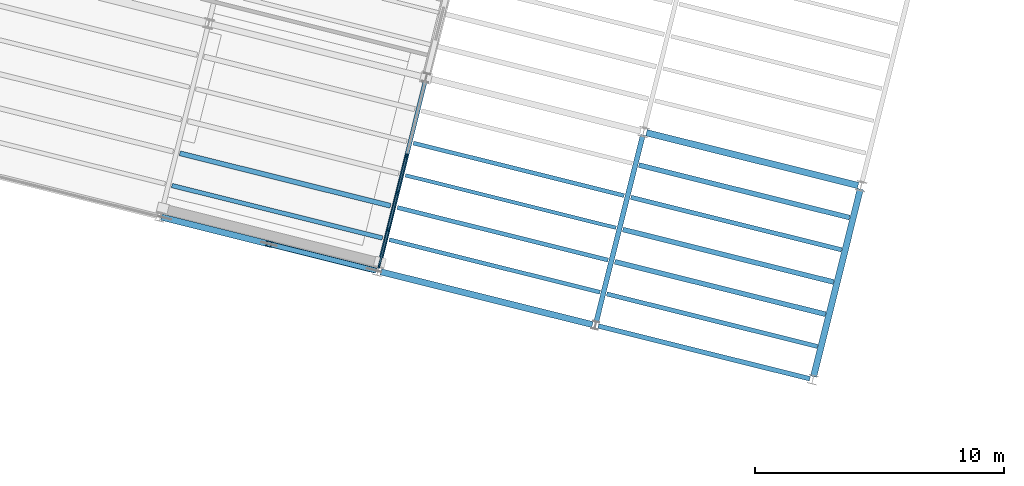
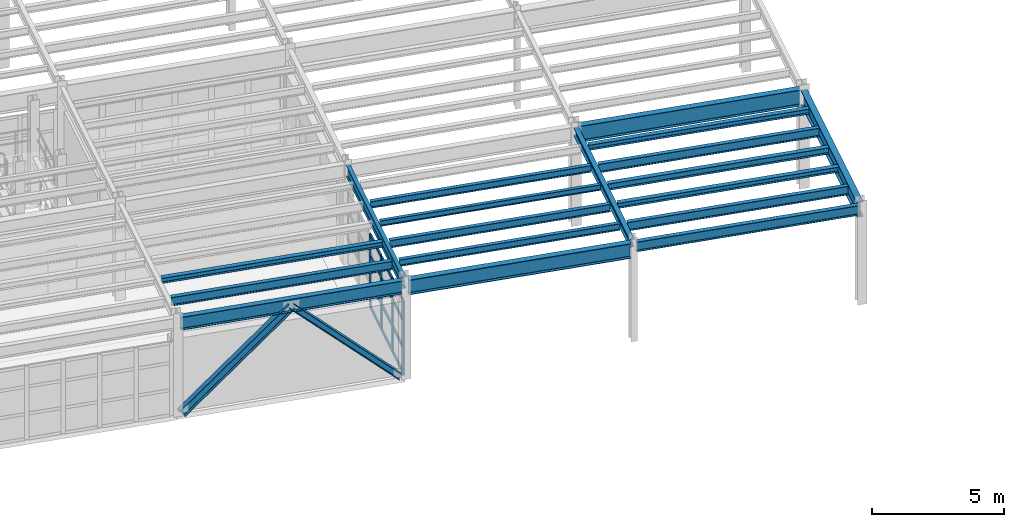
# One storey, part 32 of 109: 18 beams, 18 members, 1 element without a shape of its own.
"""IFC4 building model written with IfcOpenShell, lengths in metres."""

from ifc_helpers import new_model, si_unit, direction, frame, origin, origin_2d, place, context, subcontext, project, spatial, rectangle, i_section, extrude, material, layer, layer_set, material_profile, profile_set, type_object, element, aggregate, save


model = new_model("IFC4")

# Units and contexts
model_context = context("Model", 3, precision=1e-05, world=origin(), true_north=direction((0.0, 1.0)))
body_context = subcontext(model_context, "Body", "Model", "MODEL_VIEW")
ifc_project = project(units=[si_unit("LENGTHUNIT", "METRE"), si_unit("AREAUNIT", "SQUARE_METRE"), si_unit("VOLUMEUNIT", "CUBIC_METRE"), si_unit("PLANEANGLEUNIT", "RADIAN"), si_unit("MASSUNIT", "GRAM", prefix="KILO")], contexts=[model_context])

# Site, building, storey
site_placement = place(None, origin())
site = spatial("IfcSite", under=ifc_project, at=site_placement, CompositionType="ELEMENT")
building_placement = place(site_placement, origin())
building = spatial("IfcBuilding", under=site, at=building_placement, Name="Vireo Bluff Cable Station", CompositionType="ELEMENT")
storey_placement = place(building_placement, frame((0.0, 0.0, 4.800048828125)))
storey = spatial("IfcBuildingStorey", under=building, at=storey_placement, Name="L01", CompositionType="ELEMENT", Elevation=4.800048828125)

# Beams
ifc_material_1 = material(Name="Steel ASTM A992 Gr. 50", Category="steel")
ifc_material_profile_1 = material_profile(ifc_material_1, i_section(OverallWidth=0.2041015625, OverallDepth=0.35009765625, WebThickness=0.008544921875, FlangeThickness=0.01513671875, FilletRadius=0.010009765625, at=origin_2d()), Name="W14X48")
ifc_profile_set_1 = profile_set([ifc_material_profile_1], Name="Steel ASTM A992 Gr. 50")
beam_type_1 = type_object("IfcBeamType", Name="BM-W14X48", PredefinedType="BEAM", material=ifc_profile_set_1)
beam_1_placement = place(storey_placement, frame((88.959716796875, 29.4072265625, 4.364990234375), z_axis=(0.241906346953, 0.970299602857, 0.0), x_axis=(-0.970299602857, 0.241906346953, 0.0)))
element("IfcBeam", 1, at=beam_1_placement, inside=storey, type_object=beam_type_1, Name="V1 L01 beam 72", PredefinedType="BEAM", context=body_context, shape_type="SweptSolid", body=[
    extrude(i_section(OverallWidth=0.2041015625, OverallDepth=0.35009765625, WebThickness=0.008544921875, FlangeThickness=0.01513671875, FilletRadius=0.010009765625, at=origin_2d()), origin(), (0.0, 0.0, 1.0), 7.760009765625),
])
ifc_material_profile_2 = material_profile(ifc_material_1, i_section(OverallWidth=0.166015625, OverallDepth=0.528076171875, WebThickness=0.009765625, FlangeThickness=0.013671875, FilletRadius=0.012939453125, at=origin_2d()), Name="W21X50")
ifc_profile_set_2 = profile_set([ifc_material_profile_2], Name="Steel ASTM A992 Gr. 50")
beam_type_2 = type_object("IfcBeamType", Name="BM-W21X50", PredefinedType="BEAM", material=ifc_profile_set_2)
beam_2_placement = place(storey_placement, frame((80.22705078125, 31.58447265625, 4.27587890625), z_axis=(0.241906346953, 0.970299602857, 0.0), x_axis=(-0.970299602857, 0.241906346953, 0.0)))
element("IfcBeam", 2, at=beam_2_placement, inside=storey, type_object=beam_type_2, Name="V1 L01 beam 69", PredefinedType="BEAM", context=body_context, shape_type="SweptSolid", body=[
    extrude(i_section(OverallWidth=0.166015625, OverallDepth=0.528076171875, WebThickness=0.009765625, FlangeThickness=0.013671875, FilletRadius=0.012939453125, at=origin_2d()), origin(), (0.0, 0.0, 1.0), 7.760009765625),
])

# Members
ifc_material_profile_3 = material_profile(ifc_material_1, i_section(OverallWidth=0.2041015625, OverallDepth=0.257080078125, WebThickness=0.0087890625, FlangeThickness=0.015625, FilletRadius=0.009033203125, at=origin_2d()), Name="W10X45")
ifc_profile_set_3 = profile_set([ifc_material_profile_3], Name="Steel ASTM A992 Gr. 50")
member_type_1 = type_object("IfcMemberType", Name="BRC-01", PredefinedType="BRACE", material=ifc_profile_set_3)
member_1_placement = place(storey_placement, frame((80.042724609375, 31.5068359375, 0.0400390625), z_axis=(-0.702108887955, 0.175028594017, 0.690223225291), x_axis=(-0.241887009228, -0.970304423759, 0.0)))
element("IfcMember", 3, at=member_1_placement, inside=storey, type_object=member_type_1, Name="V1 L01 concentric brace 6R", PredefinedType="BRACE", context=body_context, shape_type="SweptSolid", body=[
    extrude(i_section(OverallWidth=0.2041015625, OverallDepth=0.257080078125, WebThickness=0.0087890625, FlangeThickness=0.015625, FilletRadius=0.009033203125, at=origin_2d()), origin(), (0.0, 0.0, 1.0), 5.997802734375),
])
ifc_material_profile_4 = material_profile(ifc_material_1, i_section(OverallWidth=0.25390625, OverallDepth=0.35302734375, WebThickness=0.009521484375, FlangeThickness=0.016357421875, FilletRadius=0.011962890625, at=origin_2d()), Name="W14X61")
ifc_profile_set_4 = profile_set([ifc_material_profile_4], Name="Steel ASTM A992 Gr. 50")
member_type_2 = type_object("IfcMemberType", Name="BRC-06", PredefinedType="BRACE", material=ifc_profile_set_4)
member_2_placement = place(storey_placement, frame((71.62060546875, 33.606689453125, 0.0400390625), z_axis=(0.702083245437, -0.175073054187, 0.690238032982), x_axis=(0.241953175614, 0.970287926757, 0.0)))
element("IfcMember", 4, at=member_2_placement, inside=storey, type_object=member_type_2, Name="V1 L01 concentric brace 5L", PredefinedType="BRACE", context=body_context, shape_type="SweptSolid", body=[
    extrude(i_section(OverallWidth=0.25390625, OverallDepth=0.35302734375, WebThickness=0.009521484375, FlangeThickness=0.016357421875, FilletRadius=0.011962890625, at=origin_2d()), origin(), (0.0, 0.0, 1.0), 5.997802734375),
])

# Curtain wall, members
ifc_material_2 = material(Name="Anodized Aluminium 6063-T6", Category="aluminium")
ifc_layer = layer(ifc_material_2, 0.179931640625, Name="Anodized Aluminium 6063-T6")
ifc_layer_set = layer_set([ifc_layer], Name="Anodized Aluminium 6063-T6")
curtain_wall_type = type_object("IfcCurtainWallType", Name="CW-UNIT-1650", PredefinedType="USERDEFINED", material=ifc_layer_set)
curtain_wall_placement = place(storey_placement, origin())
curtain_wall = element("IfcCurtainWall", 5, at=curtain_wall_placement, inside=storey, type_object=curtain_wall_type, Name="V1 L01 east curtain wall CW-008", ObjectType="UNITISED CURTAIN WALL", PredefinedType="USERDEFINED")
ifc_material_profile_5 = material_profile(ifc_material_2, rectangle(XDim=0.06494140625, YDim=0.179931640625, at=origin_2d()), Name="ALU-M-65X180")
ifc_profile_set_5 = profile_set([ifc_material_profile_5], Name="Anodized Aluminium 6063-T6")
member_type_3 = type_object("IfcMemberType", Name="CWM-01", PredefinedType="MULLION", material=ifc_profile_set_5)
member_3_placement = place(storey_placement, frame((81.35009765625, 36.08935546875, 0.0), z_axis=(0.0, 0.0, 1.0), x_axis=(0.970295711882, -0.241921953331, 0.0)))
member_3 = element("IfcMember", 6, at=member_3_placement, type_object=member_type_3, Name="CW-008 mullion 3", PredefinedType="MULLION", context=body_context, shape_type="SweptSolid", body=[
    extrude(rectangle(XDim=0.06494140625, YDim=0.179931640625, at=origin_2d()), origin(), (0.0, 0.0, 1.0), 3.39990234375),
])
member_4_placement = place(storey_placement, frame((80.980712890625, 34.60791015625, 0.0), z_axis=(0.0, 0.0, 1.0), x_axis=(0.970295711882, -0.241921953331, 0.0)))
member_4 = element("IfcMember", 7, at=member_4_placement, type_object=member_type_3, Name="CW-008 mullion 4", PredefinedType="MULLION", context=body_context, shape_type="SweptSolid", body=[
    extrude(rectangle(XDim=0.06494140625, YDim=0.179931640625, at=origin_2d()), origin(), (0.0, 0.0, 1.0), 3.39990234375),
])
member_5_placement = place(storey_placement, frame((80.611328125, 33.126220703125, 0.0), z_axis=(0.0, 0.0, 1.0), x_axis=(0.970295711882, -0.241921953331, 0.0)))
member_5 = element("IfcMember", 8, at=member_5_placement, type_object=member_type_3, Name="CW-008 mullion 5", PredefinedType="MULLION", context=body_context, shape_type="SweptSolid", body=[
    extrude(rectangle(XDim=0.06494140625, YDim=0.179931640625, at=origin_2d()), origin(), (0.0, 0.0, 1.0), 3.39990234375),
])
member_6_placement = place(storey_placement, frame((80.249755859375, 31.67626953125, 0.0), z_axis=(0.0, 0.0, 1.0), x_axis=(0.970295711882, -0.241921953331, 0.0)))
member_6 = element("IfcMember", 9, at=member_6_placement, type_object=member_type_3, Name="CW-008 mullion 6", PredefinedType="MULLION", context=body_context, shape_type="SweptSolid", body=[
    extrude(rectangle(XDim=0.06494140625, YDim=0.179931640625, at=origin_2d()), origin(), (0.0, 0.0, 1.0), 3.39990234375),
])
ifc_material_profile_6 = material_profile(ifc_material_2, rectangle(XDim=0.06494140625, YDim=0.139892578125, at=origin_2d()), Name="ALU-T-65X140")
ifc_profile_set_6 = profile_set([ifc_material_profile_6], Name="Anodized Aluminium 6063-T6")
member_type_4 = type_object("IfcMemberType", Name="CWT-01", PredefinedType="USERDEFINED", material=ifc_profile_set_6)
member_7_placement = place(storey_placement, frame((81.34228515625, 36.057861328125, 0.032470703125), z_axis=(-0.241828230681, -0.970319074761, 0.0), x_axis=(0.970319074761, -0.241828230681, 0.0)))
member_7 = element("IfcMember", 10, at=member_7_placement, type_object=member_type_4, Name="CW-008 transom 3.1", ObjectType="TRANSOM", PredefinedType="USERDEFINED", context=body_context, shape_type="SweptSolid", body=[
    extrude(rectangle(XDim=0.06494140625, YDim=0.139892578125, at=origin_2d()), origin(), (0.0, 0.0, 1.0), 1.4619140625),
])
member_8_placement = place(storey_placement, frame((81.34228515625, 36.057861328125, 1.18994140625), z_axis=(-0.241828230681, -0.970319074761, 0.0), x_axis=(0.970319074761, -0.241828230681, 0.0)))
member_8 = element("IfcMember", 11, at=member_8_placement, type_object=member_type_4, Name="CW-008 transom 3.2", ObjectType="TRANSOM", PredefinedType="USERDEFINED", context=body_context, shape_type="SweptSolid", body=[
    extrude(rectangle(XDim=0.06494140625, YDim=0.139892578125, at=origin_2d()), origin(), (0.0, 0.0, 1.0), 1.4619140625),
])
member_9_placement = place(storey_placement, frame((81.34228515625, 36.057861328125, 2.447998046875), z_axis=(-0.241828230681, -0.970319074761, 0.0), x_axis=(0.970319074761, -0.241828230681, 0.0)))
member_9 = element("IfcMember", 12, at=member_9_placement, type_object=member_type_4, Name="CW-008 transom 3.3", ObjectType="TRANSOM", PredefinedType="USERDEFINED", context=body_context, shape_type="SweptSolid", body=[
    extrude(rectangle(XDim=0.06494140625, YDim=0.139892578125, at=origin_2d()), origin(), (0.0, 0.0, 1.0), 1.4619140625),
])
member_10_placement = place(storey_placement, frame((81.34228515625, 36.057861328125, 3.367431640625), z_axis=(-0.241828230681, -0.970319074761, 0.0), x_axis=(0.970319074761, -0.241828230681, 0.0)))
member_10 = element("IfcMember", 13, at=member_10_placement, type_object=member_type_4, Name="CW-008 transom 3.4", ObjectType="TRANSOM", PredefinedType="USERDEFINED", context=body_context, shape_type="SweptSolid", body=[
    extrude(rectangle(XDim=0.06494140625, YDim=0.139892578125, at=origin_2d()), origin(), (0.0, 0.0, 1.0), 1.4619140625),
])
member_11_placement = place(storey_placement, frame((80.972900390625, 34.576171875, 0.032470703125), z_axis=(-0.241828230681, -0.970319074761, 0.0), x_axis=(0.970319074761, -0.241828230681, 0.0)))
member_11 = element("IfcMember", 14, at=member_11_placement, type_object=member_type_4, Name="CW-008 transom 4.1", ObjectType="TRANSOM", PredefinedType="USERDEFINED", context=body_context, shape_type="SweptSolid", body=[
    extrude(rectangle(XDim=0.06494140625, YDim=0.139892578125, at=origin_2d()), origin(), (0.0, 0.0, 1.0), 1.4619140625),
])
member_12_placement = place(storey_placement, frame((80.972900390625, 34.576171875, 1.18994140625), z_axis=(-0.241828230681, -0.970319074761, 0.0), x_axis=(0.970319074761, -0.241828230681, 0.0)))
member_12 = element("IfcMember", 15, at=member_12_placement, type_object=member_type_4, Name="CW-008 transom 4.2", ObjectType="TRANSOM", PredefinedType="USERDEFINED", context=body_context, shape_type="SweptSolid", body=[
    extrude(rectangle(XDim=0.06494140625, YDim=0.139892578125, at=origin_2d()), origin(), (0.0, 0.0, 1.0), 1.4619140625),
])
member_13_placement = place(storey_placement, frame((80.972900390625, 34.576171875, 2.447998046875), z_axis=(-0.241828230681, -0.970319074761, 0.0), x_axis=(0.970319074761, -0.241828230681, 0.0)))
member_13 = element("IfcMember", 16, at=member_13_placement, type_object=member_type_4, Name="CW-008 transom 4.3", ObjectType="TRANSOM", PredefinedType="USERDEFINED", context=body_context, shape_type="SweptSolid", body=[
    extrude(rectangle(XDim=0.06494140625, YDim=0.139892578125, at=origin_2d()), origin(), (0.0, 0.0, 1.0), 1.4619140625),
])
member_14_placement = place(storey_placement, frame((80.972900390625, 34.576171875, 3.367431640625), z_axis=(-0.241828230681, -0.970319074761, 0.0), x_axis=(0.970319074761, -0.241828230681, 0.0)))
member_14 = element("IfcMember", 17, at=member_14_placement, type_object=member_type_4, Name="CW-008 transom 4.4", ObjectType="TRANSOM", PredefinedType="USERDEFINED", context=body_context, shape_type="SweptSolid", body=[
    extrude(rectangle(XDim=0.06494140625, YDim=0.139892578125, at=origin_2d()), origin(), (0.0, 0.0, 1.0), 1.4619140625),
])
member_15_placement = place(storey_placement, frame((80.603515625, 33.0947265625, 0.032470703125), z_axis=(-0.241852366121, -0.970313059276, 0.0), x_axis=(0.970313059276, -0.241852366121, 0.0)))
member_15 = element("IfcMember", 18, at=member_15_placement, type_object=member_type_4, Name="CW-008 transom 5.1", ObjectType="TRANSOM", PredefinedType="USERDEFINED", context=body_context, shape_type="SweptSolid", body=[
    extrude(rectangle(XDim=0.06494140625, YDim=0.139892578125, at=origin_2d()), origin(), (0.0, 0.0, 1.0), 1.429443359375),
])
member_16_placement = place(storey_placement, frame((80.603515625, 33.0947265625, 1.18994140625), z_axis=(-0.241852366121, -0.970313059276, 0.0), x_axis=(0.970313059276, -0.241852366121, 0.0)))
member_16 = element("IfcMember", 19, at=member_16_placement, type_object=member_type_4, Name="CW-008 transom 5.2", ObjectType="TRANSOM", PredefinedType="USERDEFINED", context=body_context, shape_type="SweptSolid", body=[
    extrude(rectangle(XDim=0.06494140625, YDim=0.139892578125, at=origin_2d()), origin(), (0.0, 0.0, 1.0), 1.429443359375),
])
member_17_placement = place(storey_placement, frame((80.603515625, 33.0947265625, 2.447998046875), z_axis=(-0.241852366121, -0.970313059276, 0.0), x_axis=(0.970313059276, -0.241852366121, 0.0)))
member_17 = element("IfcMember", 20, at=member_17_placement, type_object=member_type_4, Name="CW-008 transom 5.3", ObjectType="TRANSOM", PredefinedType="USERDEFINED", context=body_context, shape_type="SweptSolid", body=[
    extrude(rectangle(XDim=0.06494140625, YDim=0.139892578125, at=origin_2d()), origin(), (0.0, 0.0, 1.0), 1.429443359375),
])
member_18_placement = place(storey_placement, frame((80.603515625, 33.0947265625, 3.367431640625), z_axis=(-0.241852366121, -0.970313059276, 0.0), x_axis=(0.970313059276, -0.241852366121, 0.0)))
member_18 = element("IfcMember", 21, at=member_18_placement, type_object=member_type_4, Name="CW-008 transom 5.4", ObjectType="TRANSOM", PredefinedType="USERDEFINED", context=body_context, shape_type="SweptSolid", body=[
    extrude(rectangle(XDim=0.06494140625, YDim=0.139892578125, at=origin_2d()), origin(), (0.0, 0.0, 1.0), 1.429443359375),
])
aggregate(curtain_wall, [member_3, member_4, member_5, member_6, member_7, member_8, member_9, member_10, member_11, member_12, member_13, member_14, member_15, member_16, member_17, member_18])

# Beams
ifc_material_profile_7 = material_profile(ifc_material_1, i_section(OverallWidth=0.264892578125, OverallDepth=0.7529296875, WebThickness=0.01318359375, FlangeThickness=0.01708984375, FilletRadius=0.01611328125, at=origin_2d()), Name="W30X99")
ifc_profile_set_7 = profile_set([ifc_material_profile_7], Name="Steel ASTM A992 Gr. 50")
beam_type_3 = type_object("IfcBeamType", Name="GIR-W30X99", PredefinedType="USERDEFINED", material=ifc_profile_set_7)
beam_3_placement = place(storey_placement, frame((90.982421875, 37.024169921875, 4.163330078125), z_axis=(0.970298044881, -0.241912595995, 0.0), x_axis=(0.241912595995, 0.970298044881, 0.0)))
element("IfcBeam", 22, at=beam_3_placement, inside=storey, type_object=beam_type_3, Name="V1 L01 girder 49", ObjectType="GIRDER", PredefinedType="USERDEFINED", context=body_context, shape_type="SweptSolid", body=[
    extrude(i_section(OverallWidth=0.264892578125, OverallDepth=0.7529296875, WebThickness=0.01318359375, FlangeThickness=0.01708984375, FilletRadius=0.01611328125, at=origin_2d()), origin(), (0.0, 0.0, 1.0), 8.760009765625),
])
ifc_material_profile_8 = material_profile(ifc_material_1, i_section(OverallWidth=0.14599609375, OverallDepth=0.259033203125, WebThickness=0.006103515625, FlangeThickness=0.009033203125, FilletRadius=0.009033203125, at=origin_2d()), Name="W10X22")
ifc_profile_set_8 = profile_set([ifc_material_profile_8], Name="Steel ASTM A992 Gr. 50")
beam_type_4 = type_object("IfcBeamType", Name="JST-W10X22", PredefinedType="JOIST", material=ifc_profile_set_8)
beam_4_placement = place(storey_placement, frame((81.301513671875, 35.3154296875, 4.410400390625), z_axis=(0.970293828661, -0.24192950639, 0.0), x_axis=(0.24192950639, 0.970293828661, 0.0)))
element("IfcBeam", 23, at=beam_4_placement, inside=storey, type_object=beam_type_4, Name="V1 L01 composite joist 117", PredefinedType="JOIST", context=body_context, shape_type="SweptSolid", body=[
    extrude(i_section(OverallWidth=0.14599609375, OverallDepth=0.259033203125, WebThickness=0.006103515625, FlangeThickness=0.009033203125, FilletRadius=0.009033203125, at=origin_2d()), origin(), (0.0, 0.0, 1.0), 8.719970703125),
])
ifc_material_profile_9 = material_profile(ifc_material_1, i_section(OverallWidth=0.201904296875, OverallDepth=0.2470703125, WebThickness=0.00732421875, FlangeThickness=0.010986328125, FilletRadius=0.009033203125, at=origin_2d()), Name="W10X33")
ifc_profile_set_9 = profile_set([ifc_material_profile_9], Name="Steel ASTM A992 Gr. 50")
beam_type_5 = type_object("IfcBeamType", Name="JST-W10X33", PredefinedType="JOIST", material=ifc_profile_set_9)
for number, where, z_axis, x_axis, name in (
    (24, (72.246337890625, 36.198974609375, 4.41650390625), (0.970293828661, -0.24192950639, 0.0), (0.24192950639, 0.970293828661, 0.0), "V1 L01 composite joist 101"),
    (25, (89.711669921875, 31.844482421875, 4.41650390625), (0.970293828661, -0.24192950639, 0.0), (0.24192950639, 0.970293828661, 0.0), "V1 L01 composite joist 131"),
):
    element("IfcBeam", number, at=place(storey_placement, frame(where, z_axis=z_axis, x_axis=x_axis)), inside=storey, type_object=beam_type_5, Name=name, PredefinedType="JOIST", context=body_context, shape_type="SweptSolid", body=[
        extrude(i_section(OverallWidth=0.201904296875, OverallDepth=0.2470703125, WebThickness=0.00732421875, FlangeThickness=0.010986328125, FilletRadius=0.009033203125, at=origin_2d()), origin(), (0.0, 0.0, 1.0), 8.719970703125),
    ])
beam_5_placement = place(storey_placement, frame((90.67919921875, 35.7255859375, 4.41650390625), z_axis=(0.970295467306, -0.24192293427, 0.0), x_axis=(0.24192293427, 0.970295467306, 0.0)))
element("IfcBeam", 26, at=beam_5_placement, inside=storey, type_object=beam_type_5, Name="V1 L01 composite joist 134", PredefinedType="JOIST", context=body_context, shape_type="SweptSolid", body=[
    extrude(i_section(OverallWidth=0.201904296875, OverallDepth=0.2470703125, WebThickness=0.00732421875, FlangeThickness=0.010986328125, FilletRadius=0.009033203125, at=origin_2d()), origin(), (0.0, 0.0, 1.0), 8.72021484375),
])
ifc_material_profile_10 = material_profile(ifc_material_1, i_section(OverallWidth=0.1650390625, OverallDepth=0.31005859375, WebThickness=0.005859375, FlangeThickness=0.009765625, FilletRadius=0.010009765625, at=origin_2d()), Name="W12X26")
ifc_profile_set_10 = profile_set([ifc_material_profile_10], Name="Steel ASTM A992 Gr. 50")
beam_type_6 = type_object("IfcBeamType", Name="JST-W12X26", PredefinedType="JOIST", material=ifc_profile_set_10)
for number, where, z_axis, x_axis, name in (
    (27, (80.656494140625, 32.72802734375, 4.385009765625), (0.970293828661, -0.24192950639, 0.0), (0.24192950639, 0.970293828661, 0.0), "V1 L01 composite joist 115"),
    (28, (81.6240234375, 36.609130859375, 4.385009765625), (0.970293828661, -0.24192950639, 0.0), (0.24192950639, 0.970293828661, 0.0), "V1 L01 composite joist 118"),
):
    element("IfcBeam", number, at=place(storey_placement, frame(where, z_axis=z_axis, x_axis=x_axis)), inside=storey, type_object=beam_type_6, Name=name, PredefinedType="JOIST", context=body_context, shape_type="SweptSolid", body=[
        extrude(i_section(OverallWidth=0.1650390625, OverallDepth=0.31005859375, WebThickness=0.005859375, FlangeThickness=0.009765625, FilletRadius=0.010009765625, at=origin_2d()), origin(), (0.0, 0.0, 1.0), 8.719970703125),
    ])
ifc_material_profile_11 = material_profile(ifc_material_1, i_section(OverallWidth=0.202880859375, OverallDepth=0.302978515625, WebThickness=0.007568359375, FlangeThickness=0.01318359375, FilletRadius=0.010009765625, at=origin_2d()), Name="W12X40")
ifc_profile_set_11 = profile_set([ifc_material_profile_11], Name="Steel ASTM A992 Gr. 50")
beam_type_7 = type_object("IfcBeamType", Name="JST-W12X40", PredefinedType="JOIST", material=ifc_profile_set_11)
beam_6_placement = place(storey_placement, frame((90.0341796875, 33.13818359375, 4.388427734375), z_axis=(0.970293828661, -0.24192950639, 0.0), x_axis=(0.24192950639, 0.970293828661, 0.0)))
element("IfcBeam", 29, at=beam_6_placement, inside=storey, type_object=beam_type_7, Name="V1 L01 composite joist 132", PredefinedType="JOIST", context=body_context, shape_type="SweptSolid", body=[
    extrude(i_section(OverallWidth=0.202880859375, OverallDepth=0.302978515625, WebThickness=0.007568359375, FlangeThickness=0.01318359375, FilletRadius=0.010009765625, at=origin_2d()), origin(), (0.0, 0.0, 1.0), 8.719970703125),
])
ifc_material_profile_12 = material_profile(ifc_material_1, i_section(OverallWidth=0.1708984375, OverallDepth=0.35107421875, WebThickness=0.0068359375, FlangeThickness=0.009765625, FilletRadius=0.010009765625, at=origin_2d()), Name="W14X30")
ifc_profile_set_12 = profile_set([ifc_material_profile_12], Name="Steel ASTM A992 Gr. 50")
beam_type_8 = type_object("IfcBeamType", Name="JST-W14X30", PredefinedType="JOIST", material=ifc_profile_set_12)
beam_7_placement = place(storey_placement, frame((80.97900390625, 34.021728515625, 4.364501953125), z_axis=(0.970293828661, -0.24192950639, 0.0), x_axis=(0.24192950639, 0.970293828661, 0.0)))
element("IfcBeam", 30, at=beam_7_placement, inside=storey, type_object=beam_type_8, Name="V1 L01 composite joist 116", PredefinedType="JOIST", context=body_context, shape_type="SweptSolid", body=[
    extrude(i_section(OverallWidth=0.1708984375, OverallDepth=0.35107421875, WebThickness=0.0068359375, FlangeThickness=0.009765625, FilletRadius=0.010009765625, at=origin_2d()), origin(), (0.0, 0.0, 1.0), 8.719970703125),
])
ifc_material_profile_13 = material_profile(ifc_material_1, i_section(OverallWidth=0.177978515625, OverallDepth=0.404052734375, WebThickness=0.007568359375, FlangeThickness=0.010986328125, FilletRadius=0.010009765625, at=origin_2d()), Name="W16X36")
ifc_profile_set_13 = profile_set([ifc_material_profile_13], Name="Steel ASTM A992 Gr. 50")
beam_type_9 = type_object("IfcBeamType", Name="JST-W16X36", PredefinedType="JOIST", material=ifc_profile_set_13)
for number, where, z_axis, x_axis, name in (
    (31, (71.923828125, 34.9052734375, 4.337890625), (0.970293828661, -0.24192950639, 0.0), (0.24192950639, 0.970293828661, 0.0), "V1 L01 composite joist 100"),
    (32, (89.38916015625, 30.55078125, 4.337890625), (0.970293828661, -0.24192950639, 0.0), (0.24192950639, 0.970293828661, 0.0), "V1 L01 composite joist 130"),
    (33, (90.356689453125, 34.431884765625, 4.337890625), (0.970293828661, -0.24192950639, 0.0), (0.24192950639, 0.970293828661, 0.0), "V1 L01 composite joist 133"),
):
    element("IfcBeam", number, at=place(storey_placement, frame(where, z_axis=z_axis, x_axis=x_axis)), inside=storey, type_object=beam_type_9, Name=name, PredefinedType="JOIST", context=body_context, shape_type="SweptSolid", body=[
        extrude(i_section(OverallWidth=0.177978515625, OverallDepth=0.404052734375, WebThickness=0.007568359375, FlangeThickness=0.010986328125, FilletRadius=0.010009765625, at=origin_2d()), origin(), (0.0, 0.0, 1.0), 8.719970703125),
    ])
ifc_material_profile_14 = material_profile(ifc_material_1, i_section(OverallWidth=0.19091796875, OverallDepth=0.45703125, WebThickness=0.009033203125, FlangeThickness=0.014404296875, FilletRadius=0.011962890625, at=origin_2d()), Name="W18X50")
ifc_profile_set_14 = profile_set([ifc_material_profile_14], Name="Steel ASTM A992 Gr. 50")
beam_type_10 = type_object("IfcBeamType", Name="SPN-W18X50", PredefinedType="SPANDREL", material=ifc_profile_set_14)
beam_8_placement = place(storey_placement, frame((89.047119140625, 29.26171875, 4.3115234375), z_axis=(0.970298044881, -0.241912595995, 0.0), x_axis=(0.241912595995, 0.970298044881, 0.0)))
element("IfcBeam", 34, at=beam_8_placement, inside=storey, type_object=beam_type_10, Name="V1 L01 spandrel 44", PredefinedType="SPANDREL", context=body_context, shape_type="SweptSolid", body=[
    extrude(i_section(OverallWidth=0.19091796875, OverallDepth=0.45703125, WebThickness=0.009033203125, FlangeThickness=0.014404296875, FilletRadius=0.011962890625, at=origin_2d()), origin(), (0.0, 0.0, 1.0), 8.760009765625),
])
ifc_material_profile_15 = material_profile(ifc_material_1, i_section(OverallWidth=0.22802734375, OverallDepth=0.60693359375, WebThickness=0.01123046875, FlangeThickness=0.017333984375, FilletRadius=0.012939453125, at=origin_2d()), Name="W24X76")
ifc_profile_set_15 = profile_set([ifc_material_profile_15], Name="Steel ASTM A992 Gr. 50")
beam_type_11 = type_object("IfcBeamType", Name="SPN-W24X76", PredefinedType="SPANDREL", material=ifc_profile_set_15)
beam_9_placement = place(storey_placement, frame((71.581787109375, 33.616455078125, 4.236572265625), z_axis=(0.970291502693, -0.241938834838, 0.0), x_axis=(0.241938834838, 0.970291502693, 0.0)))
element("IfcBeam", 35, at=beam_9_placement, inside=storey, type_object=beam_type_11, Name="V1 L01 spandrel 42", PredefinedType="SPANDREL", context=body_context, shape_type="SweptSolid", body=[
    extrude(i_section(OverallWidth=0.22802734375, OverallDepth=0.60693359375, WebThickness=0.01123046875, FlangeThickness=0.017333984375, FilletRadius=0.012939453125, at=origin_2d()), origin(), (0.0, 0.0, 1.0), 8.760009765625),
])
ifc_material_profile_16 = material_profile(ifc_material_1, i_section(OverallWidth=0.257080078125, OverallDepth=0.693115234375, WebThickness=0.014404296875, FlangeThickness=0.023681640625, FilletRadius=0.014892578125, at=origin_2d()), Name="W27X114")
ifc_profile_set_16 = profile_set([ifc_material_profile_16], Name="Steel ASTM A992 Gr. 50")
beam_type_12 = type_object("IfcBeamType", Name="SPN-W27X114", PredefinedType="SPANDREL", material=ifc_profile_set_16)
beam_10_placement = place(storey_placement, frame((80.314453125, 31.43896484375, 4.193359375), z_axis=(0.970298044881, -0.241912595995, 0.0), x_axis=(0.241912595995, 0.970298044881, 0.0)))
element("IfcBeam", 36, at=beam_10_placement, inside=storey, type_object=beam_type_12, Name="V1 L01 spandrel 43", PredefinedType="SPANDREL", context=body_context, shape_type="SweptSolid", body=[
    extrude(i_section(OverallWidth=0.257080078125, OverallDepth=0.693115234375, WebThickness=0.014404296875, FlangeThickness=0.023681640625, FilletRadius=0.014892578125, at=origin_2d()), origin(), (0.0, 0.0, 1.0), 8.760009765625),
])
beam_11_placement = place(storey_placement, frame((97.6923828125, 27.22998046875, 4.193359375), z_axis=(0.241906346953, 0.970299602857, 0.0), x_axis=(-0.970299602857, 0.241906346953, 0.0)))
element("IfcBeam", 37, at=beam_11_placement, inside=storey, type_object=beam_type_12, Name="V1 L01 spandrel 75", PredefinedType="SPANDREL", context=body_context, shape_type="SweptSolid", body=[
    extrude(i_section(OverallWidth=0.257080078125, OverallDepth=0.693115234375, WebThickness=0.014404296875, FlangeThickness=0.023681640625, FilletRadius=0.014892578125, at=origin_2d()), origin(), (0.0, 0.0, 1.0), 7.760009765625),
])

save(model, "model.ifc")
